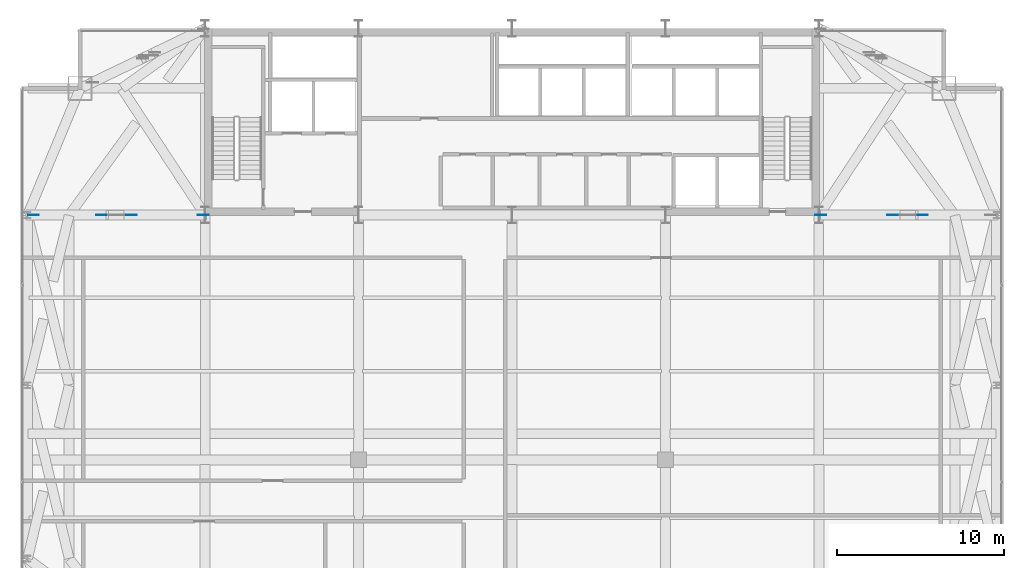
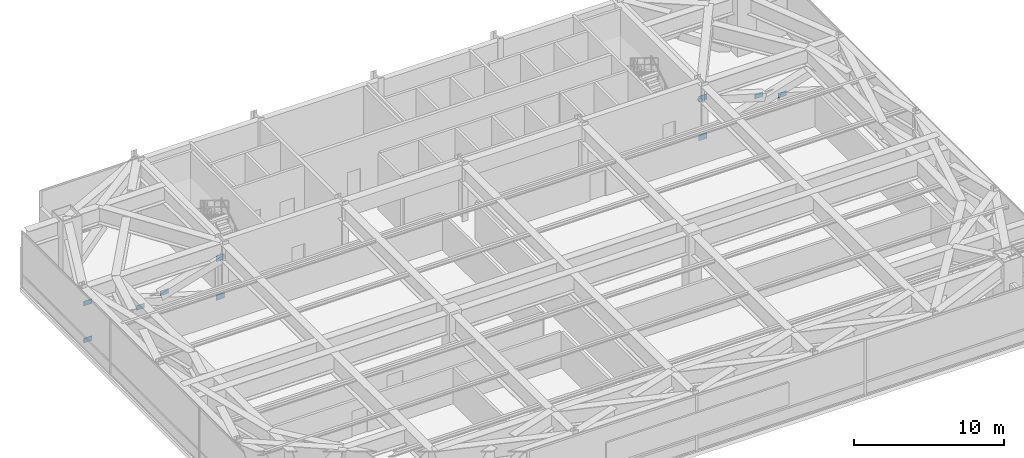
# One storey, part 27 of 32: 10 plates.
"""IFC4 building model written with IfcOpenShell, lengths in metres."""

from ifc_helpers import new_model, si_unit, direction, frame, origin, origin_2d, place, context, subcontext, project, spatial, rectangle, extrude, source, transform, mapped, material, layer, layer_set, type_object, type_shapes, element, save


model = new_model("IFC4")

# Units and contexts
model_context = context("Model", 3, precision=1e-05, world=origin(), true_north=direction((0.0, 1.0)))
body_context = subcontext(model_context, "Body", "Model", "MODEL_VIEW")
ifc_project = project(units=[si_unit("LENGTHUNIT", "METRE"), si_unit("AREAUNIT", "SQUARE_METRE"), si_unit("VOLUMEUNIT", "CUBIC_METRE"), si_unit("PLANEANGLEUNIT", "RADIAN"), si_unit("MASSUNIT", "GRAM", prefix="KILO")], contexts=[model_context])

# Site, building, storey
site_placement = place(None, origin())
site = spatial("IfcSite", under=ifc_project, at=site_placement, CompositionType="ELEMENT")
building_placement = place(site_placement, origin())
building = spatial("IfcBuilding", under=site, at=building_placement, Name="Varnel Quay Broadcast Tower", CompositionType="ELEMENT")
storey_placement = place(building_placement, frame((0.0, 0.0, 141.0)))
storey = spatial("IfcBuildingStorey", under=building, at=storey_placement, Name="L34", CompositionType="ELEMENT", Elevation=141.0)

# Plates
ifc_material = material(Name="Structural Steel CSA G40.21 350WT", Category="steel")
ifc_layer_1 = layer(ifc_material, 0.0400390625, Name="Structural Steel CSA G40.21 350WT")
ifc_layer_set_1 = layer_set([ifc_layer_1], Name="Structural Steel CSA G40.21 350WT")
plate_type_1 = type_object("IfcPlateType", Name="Plate_EmbedPlate", PredefinedType="USERDEFINED", material=ifc_layer_set_1)
shared_shape_1 = source(origin(), body_context, "Body", "SweptSolid", [
    extrude(rectangle(XDim=0.639892578125, YDim=0.0400390625, at=origin_2d()), origin(), (0.0, 0.0, 1.0), 0.449951171875),
])
type_shapes(plate_type_1, [shared_shape_1])
for number, where, z_axis, x_axis, name in (
    (1, (15.485107421875, 35.60009765625, -0.17041015625), (0.0, 0.0, 1.0), (1.0, 0.0, 0.0), "L34 Outrigger W Diag A Wall Cast-In Embed Plate P0"),
    (2, (15.485107421875, 35.60009765625, 2.98046875), (0.0, 0.0, 1.0), (1.0, 0.0, 0.0), "L34 Outrigger W Diag B2 Wall Cast-In Embed Plate P1"),
    (3, (52.514892578125, 35.60009765625, -0.17041015625), (0.0, 0.0, 1.0), (1.0, 0.0, 0.0), "L34 Outrigger E Diag A Wall Cast-In Embed Plate P0"),
    (4, (52.514892578125, 35.60009765625, 2.98046875), (0.0, 0.0, 1.0), (1.0, 0.0, 0.0), "L34 Outrigger E Diag B2 Wall Cast-In Embed Plate P1"),
):
    element("IfcPlate", number, at=place(storey_placement, frame(where, z_axis=z_axis, x_axis=x_axis)), inside=storey, type_object=plate_type_1, Name=name, ObjectType="EMBED_PLATE", PredefinedType="USERDEFINED", context=body_context, shape_type="MappedRepresentation", body=[
        mapped(shared_shape_1, transform((0.0, 0.0, 0.0), x_axis=(1.0, 0.0, 0.0), y_axis=(0.0, 1.0, 0.0), z_axis=(0.0, 0.0, 1.0), scale=1.0)),
    ])
ifc_layer_2 = layer(ifc_material, 0.031982421875, Name="Structural Steel CSA G40.21 350WT")
ifc_layer_set_2 = layer_set([ifc_layer_2], Name="Structural Steel CSA G40.21 350WT")
plate_type_2 = type_object("IfcPlateType", Name="Plate_EndCap", PredefinedType="USERDEFINED", material=ifc_layer_set_2)
shared_shape_2 = source(origin(), body_context, "Body", "SweptSolid", [
    extrude(rectangle(XDim=0.6201171875, YDim=0.031982421875, at=origin_2d()), origin(), (0.0, 0.0, 1.0), 0.3798828125),
])
type_shapes(plate_type_2, [shared_shape_2])
for number, where, z_axis, x_axis, name in (
    (5, (5.313720703125, 35.60009765625, 2.93994140625), (0.0, 0.0, 1.0), (1.0, 0.0, 0.0), "L34 Outrigger W Diag A End Connection Plate P1"),
    (6, (5.313720703125, 35.60009765625, -0.06005859375), (0.0, 0.0, 1.0), (1.0, 0.0, 0.0), "L34 Outrigger W Diag B1 End Connection Plate P0"),
    (7, (9.368896484375, 35.60009765625, 1.166015625), (0.0, 0.0, 1.0), (1.0, 0.0, 0.0), "L34 Outrigger W Diag B1 End Connection Plate P1"),
    (8, (11.180908203125, 35.60009765625, 1.714111328125), (0.0, 0.0, 1.0), (1.0, 0.0, 0.0), "L34 Outrigger W Diag B2 End Connection Plate P0"),
    (9, (58.631103515625, 35.60009765625, 1.166015625), (0.0, 0.0, 1.0), (1.0, 0.0, 0.0), "L34 Outrigger E Diag B1 End Connection Plate P1"),
    (10, (56.819091796875, 35.60009765625, 1.714111328125), (0.0, 0.0, 1.0), (1.0, 0.0, 0.0), "L34 Outrigger E Diag B2 End Connection Plate P0"),
):
    element("IfcPlate", number, at=place(storey_placement, frame(where, z_axis=z_axis, x_axis=x_axis)), inside=storey, type_object=plate_type_2, Name=name, ObjectType="CAP_PLATE", PredefinedType="USERDEFINED", context=body_context, shape_type="MappedRepresentation", body=[
        mapped(shared_shape_2, transform((0.0, 0.0, 0.0), x_axis=(1.0, 0.0, 0.0), y_axis=(0.0, 1.0, 0.0), z_axis=(0.0, 0.0, 1.0), scale=1.0)),
    ])

save(model, "model.ifc")
